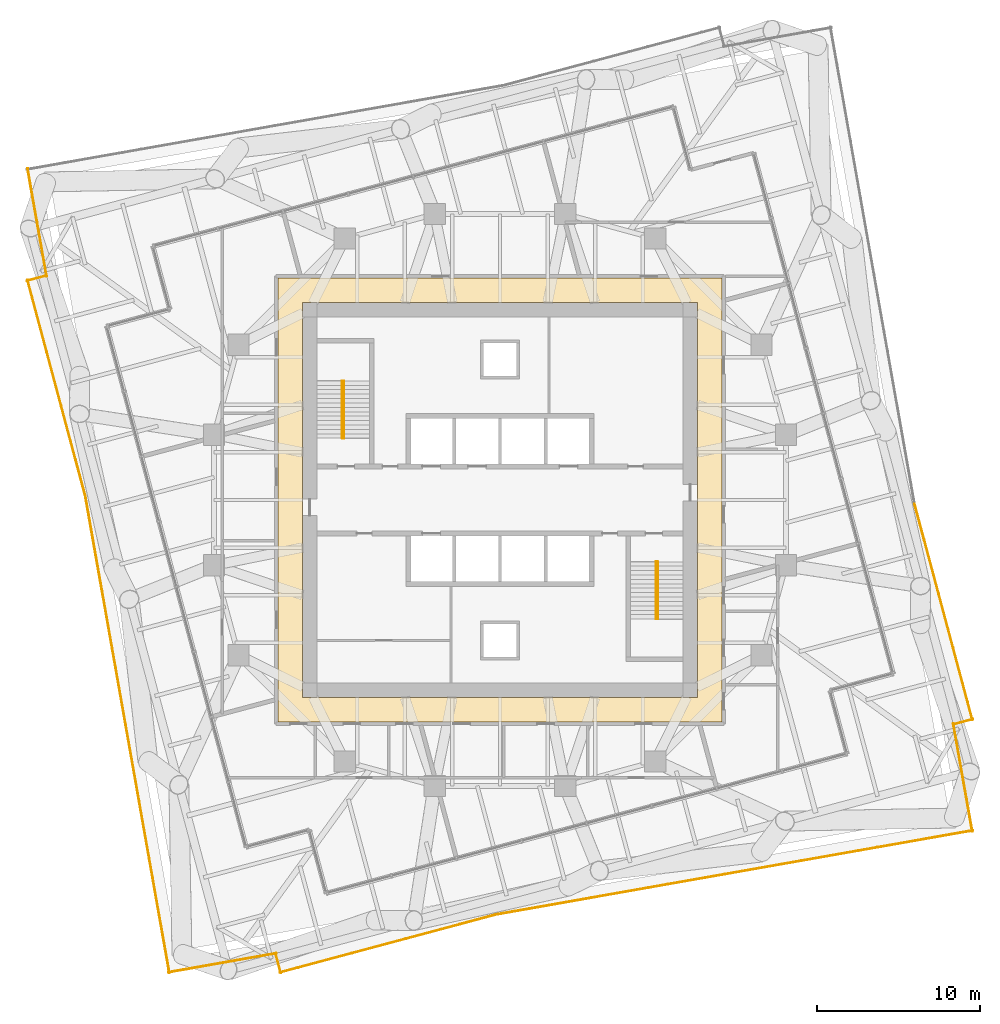
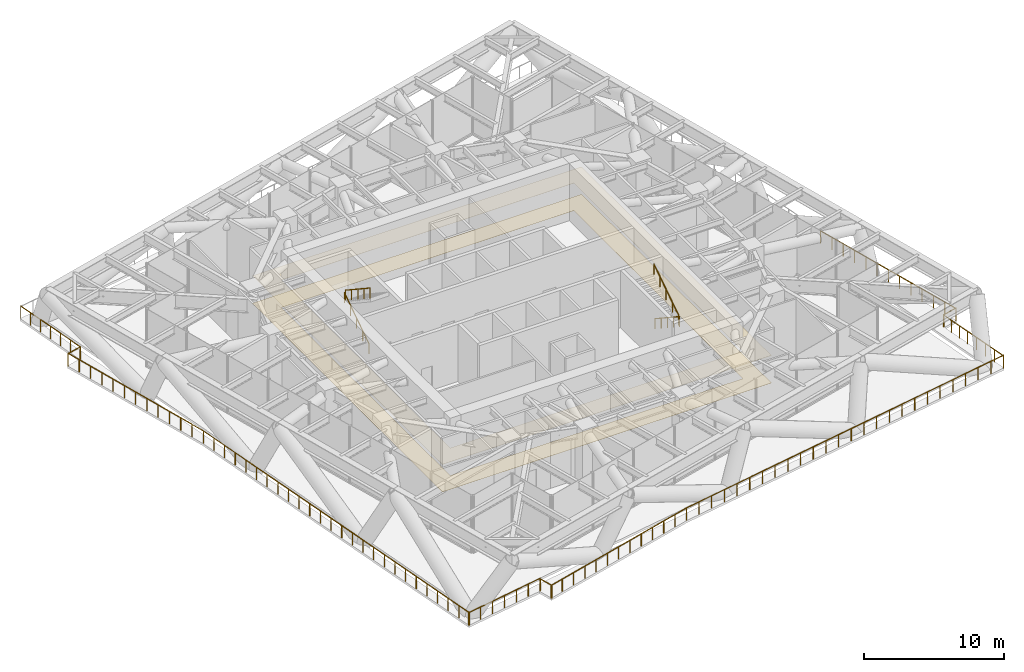
# One storey, part 13 of 14: 16 railings, 2 coverings, 2 elements without a shape of their own.
"""IFC4 building model written with IfcOpenShell, lengths in metres."""

from ifc_helpers import new_model, si_unit, direction, frame, origin, origin_2d, place, context, subcontext, project, spatial, polyline, circle, outline, extrude, material, layer, layer_set, type_object, element, aggregate, save


model = new_model("IFC4")

# Units and contexts
model_context = context("Model", 3, precision=1e-05, world=origin(), true_north=direction((0.0, 1.0)))
body_context = subcontext(model_context, "Body", "Model", "MODEL_VIEW")
ifc_project = project(units=[si_unit("LENGTHUNIT", "METRE"), si_unit("AREAUNIT", "SQUARE_METRE"), si_unit("VOLUMEUNIT", "CUBIC_METRE"), si_unit("PLANEANGLEUNIT", "RADIAN"), si_unit("MASSUNIT", "GRAM", prefix="KILO")], contexts=[model_context])

# Site, building, storey
site_placement = place(None, origin())
site = spatial("IfcSite", under=ifc_project, at=site_placement, CompositionType="ELEMENT")
building_placement = place(site_placement, origin())
building = spatial("IfcBuilding", under=site, at=building_placement, Name="Torsade Residences", CompositionType="ELEMENT")
storey_placement = place(building_placement, frame((0.0, 0.0, 106.60009765625)))
storey = spatial("IfcBuildingStorey", under=building, at=storey_placement, Name="L29", CompositionType="ELEMENT", Elevation=106.60009765625)

# Coverings
ifc_material_1 = material(Name="Nylon carpet tile on underlay", Category="textile")
ifc_layer_1 = layer(ifc_material_1, 0.010009765625)
ifc_layer_set_1 = layer_set([ifc_layer_1], Name="Nylon carpet tile on underlay")
covering_type_1 = type_object("IfcCoveringType", Name="CORRIDOR CARPET TILE 10", PredefinedType="FLOORING", material=ifc_layer_set_1)
covering_1_placement = place(storey_placement, origin())
element("IfcCovering", 1, at=covering_1_placement, inside=storey, type_object=covering_type_1, Name="Corridor carpet L29", PredefinedType="FLOORING", context=body_context, shape_type="SweptSolid", body=[
    extrude(outline(polyline([(26.39990234375, 16.39990234375), (53.60009765625, 16.39990234375), (53.60009765625, 43.60009765625), (26.39990234375, 43.60009765625), (26.39990234375, 16.39990234375)]), holes=[polyline([(27.89990234375, 42.10009765625), (27.89990234375, 17.89990234375), (52.10009765625, 17.89990234375), (52.10009765625, 42.10009765625), (27.89990234375, 42.10009765625)])]), origin(), (0.0, 0.0, 1.0), 0.010009765625),
])
ifc_material_2 = material(Name="Plasterboard on suspended steel grid", Category="steel")
ifc_layer_2 = layer(ifc_material_2, 0.012939453125)
ifc_layer_set_2 = layer_set([ifc_layer_2], Name="Plasterboard on suspended steel grid")
covering_type_2 = type_object("IfcCoveringType", Name="CORRIDOR SUSPENDED CEILING 13", PredefinedType="CEILING", material=ifc_layer_set_2)
covering_2_placement = place(storey_placement, frame((0.0, 0.0, 2.39990234375)))
element("IfcCovering", 2, at=covering_2_placement, inside=storey, type_object=covering_type_2, Name="Corridor ceiling L29", PredefinedType="CEILING", context=body_context, shape_type="SweptSolid", body=[
    extrude(outline(polyline([(26.39990234375, 16.39990234375), (53.60009765625, 16.39990234375), (53.60009765625, 43.60009765625), (26.39990234375, 43.60009765625), (26.39990234375, 16.39990234375)]), holes=[polyline([(27.89990234375, 42.10009765625), (27.89990234375, 17.89990234375), (52.10009765625, 17.89990234375), (52.10009765625, 42.10009765625), (27.89990234375, 42.10009765625)])]), origin(), (0.0, 0.0, 1.0), 0.012939453125),
])

# Railings
ifc_material_3 = material(Name="Galvanised steel guard rail", Category="steel")
railing_type_1 = type_object("IfcRailingType", Name="ROOF EDGE GUARD 1100", PredefinedType="GUARDRAIL", material=ifc_material_3)
railing_1_placement = place(storey_placement, frame((26.27783203125, 2.19921875, 0.0)))
element("IfcRailing", 3, at=railing_1_placement, inside=storey, type_object=railing_type_1, Name="Roof edge guard L29 1", PredefinedType="GUARDRAIL", context=body_context, shape_type="SweptSolid", body=[
    extrude(circle(Radius=0.02392578125, at=origin_2d()), frame((0.0, 0.0, 1.076171875), z_axis=(0.258803991931, -0.965929859648, 0.0), x_axis=(0.965929859648, 0.258803991931, 0.0)), (0.0, 0.0, 1.0), 1.197998046875),
    extrude(circle(Radius=0.02099609375, at=origin_2d()), origin(), (0.0, 0.0, 1.0), 1.052001953125),
    extrude(circle(Radius=0.02099609375, at=origin_2d()), frame((0.31005859375, -1.1572265625, 0.0)), (0.0, 0.0, 1.0), 1.052001953125),
])
railing_2_placement = place(storey_placement, frame((26.526611328125, 1.077392578125, 0.0)))
element("IfcRailing", 4, at=railing_2_placement, inside=storey, type_object=railing_type_1, Name="Roof edge guard L29 2", PredefinedType="GUARDRAIL", context=body_context, shape_type="SweptSolid", body=[
    extrude(circle(Radius=0.02392578125, at=origin_2d()), frame((0.0, 0.0, 1.076171875), z_axis=(0.965928083042, 0.258810622638, 0.0), x_axis=(-0.258810622638, 0.965928083042, 0.0)), (0.0, 0.0, 1.0), 13.697998046875),
    extrude(circle(Radius=0.02099609375, at=origin_2d()), origin(), (0.0, 0.0, 1.0), 1.052001953125),
    extrude(circle(Radius=0.02099609375, at=origin_2d()), frame((1.1025390625, 0.29541015625, 0.0)), (0.0, 0.0, 1.0), 1.052001953125),
    extrude(circle(Radius=0.02099609375, at=origin_2d()), frame((2.205078125, 0.5908203125, 0.0)), (0.0, 0.0, 1.0), 1.052001953125),
    extrude(circle(Radius=0.02099609375, at=origin_2d()), frame((3.307861328125, 0.88623046875, 0.0)), (0.0, 0.0, 1.0), 1.052001953125),
    extrude(circle(Radius=0.02099609375, at=origin_2d()), frame((4.410400390625, 1.181640625, 0.0)), (0.0, 0.0, 1.0), 1.052001953125),
    extrude(circle(Radius=0.02099609375, at=origin_2d()), frame((5.512939453125, 1.47705078125, 0.0)), (0.0, 0.0, 1.0), 1.052001953125),
    extrude(circle(Radius=0.02099609375, at=origin_2d()), frame((6.61572265625, 1.7724609375, 0.0)), (0.0, 0.0, 1.0), 1.052001953125),
    extrude(circle(Radius=0.02099609375, at=origin_2d()), frame((7.71826171875, 2.068115234375, 0.0)), (0.0, 0.0, 1.0), 1.052001953125),
    extrude(circle(Radius=0.02099609375, at=origin_2d()), frame((8.82080078125, 2.363525390625, 0.0)), (0.0, 0.0, 1.0), 1.052001953125),
    extrude(circle(Radius=0.02099609375, at=origin_2d()), frame((9.92333984375, 2.658935546875, 0.0)), (0.0, 0.0, 1.0), 1.052001953125),
    extrude(circle(Radius=0.02099609375, at=origin_2d()), frame((11.02587890625, 2.954345703125, 0.0)), (0.0, 0.0, 1.0), 1.052001953125),
    extrude(circle(Radius=0.02099609375, at=origin_2d()), frame((12.128662109375, 3.249755859375, 0.0)), (0.0, 0.0, 1.0), 1.052001953125),
    extrude(circle(Radius=0.02099609375, at=origin_2d()), frame((13.231201171875, 3.545166015625, 0.0)), (0.0, 0.0, 1.0), 1.052001953125),
])
railing_3_placement = place(storey_placement, frame((39.7578125, 4.622314453125, 0.0)))
element("IfcRailing", 5, at=railing_3_placement, inside=storey, type_object=railing_type_1, Name="Roof edge guard L29 3", PredefinedType="GUARDRAIL", context=body_context, shape_type="SweptSolid", body=[
    extrude(circle(Radius=0.02392578125, at=origin_2d()), frame((0.0, 0.0, 1.076171875), z_axis=(0.984807095321, 0.173651907578, 0.0), x_axis=(-0.173651907578, 0.984807095321, 0.0)), (0.0, 0.0, 1.0), 29.645263671875),
    extrude(circle(Radius=0.02099609375, at=origin_2d()), origin(), (0.0, 0.0, 1.0), 1.052001953125),
    extrude(circle(Radius=0.02099609375, at=origin_2d()), frame((1.167724609375, 0.205810546875, 0.0)), (0.0, 0.0, 1.0), 1.052001953125),
    extrude(circle(Radius=0.02099609375, at=origin_2d()), frame((2.335693359375, 0.411865234375, 0.0)), (0.0, 0.0, 1.0), 1.052001953125),
    extrude(circle(Radius=0.02099609375, at=origin_2d()), frame((3.50341796875, 0.61767578125, 0.0)), (0.0, 0.0, 1.0), 1.052001953125),
    extrude(circle(Radius=0.02099609375, at=origin_2d()), frame((4.671142578125, 0.82373046875, 0.0)), (0.0, 0.0, 1.0), 1.052001953125),
    extrude(circle(Radius=0.02099609375, at=origin_2d()), frame((5.8388671875, 1.029541015625, 0.0)), (0.0, 0.0, 1.0), 1.052001953125),
    extrude(circle(Radius=0.02099609375, at=origin_2d()), frame((7.0068359375, 1.235595703125, 0.0)), (0.0, 0.0, 1.0), 1.052001953125),
    extrude(circle(Radius=0.02099609375, at=origin_2d()), frame((8.174560546875, 1.44140625, 0.0)), (0.0, 0.0, 1.0), 1.052001953125),
    extrude(circle(Radius=0.02099609375, at=origin_2d()), frame((9.34228515625, 1.6474609375, 0.0)), (0.0, 0.0, 1.0), 1.052001953125),
    extrude(circle(Radius=0.02099609375, at=origin_2d()), frame((10.51025390625, 1.853271484375, 0.0)), (0.0, 0.0, 1.0), 1.052001953125),
    extrude(circle(Radius=0.02099609375, at=origin_2d()), frame((11.677978515625, 2.05908203125, 0.0)), (0.0, 0.0, 1.0), 1.052001953125),
    extrude(circle(Radius=0.02099609375, at=origin_2d()), frame((12.845703125, 2.26513671875, 0.0)), (0.0, 0.0, 1.0), 1.052001953125),
    extrude(circle(Radius=0.02099609375, at=origin_2d()), frame((14.013427734375, 2.470947265625, 0.0)), (0.0, 0.0, 1.0), 1.052001953125),
    extrude(circle(Radius=0.02099609375, at=origin_2d()), frame((15.181396484375, 2.677001953125, 0.0)), (0.0, 0.0, 1.0), 1.052001953125),
    extrude(circle(Radius=0.02099609375, at=origin_2d()), frame((16.34912109375, 2.8828125, 0.0)), (0.0, 0.0, 1.0), 1.052001953125),
    extrude(circle(Radius=0.02099609375, at=origin_2d()), frame((17.516845703125, 3.0888671875, 0.0)), (0.0, 0.0, 1.0), 1.052001953125),
    extrude(circle(Radius=0.02099609375, at=origin_2d()), frame((18.6845703125, 3.294677734375, 0.0)), (0.0, 0.0, 1.0), 1.052001953125),
    extrude(circle(Radius=0.02099609375, at=origin_2d()), frame((19.8525390625, 3.50048828125, 0.0)), (0.0, 0.0, 1.0), 1.052001953125),
    extrude(circle(Radius=0.02099609375, at=origin_2d()), frame((21.020263671875, 3.70654296875, 0.0)), (0.0, 0.0, 1.0), 1.052001953125),
    extrude(circle(Radius=0.02099609375, at=origin_2d()), frame((22.18798828125, 3.912353515625, 0.0)), (0.0, 0.0, 1.0), 1.052001953125),
    extrude(circle(Radius=0.02099609375, at=origin_2d()), frame((23.35595703125, 4.118408203125, 0.0)), (0.0, 0.0, 1.0), 1.052001953125),
    extrude(circle(Radius=0.02099609375, at=origin_2d()), frame((24.523681640625, 4.32421875, 0.0)), (0.0, 0.0, 1.0), 1.052001953125),
    extrude(circle(Radius=0.02099609375, at=origin_2d()), frame((25.69140625, 4.5302734375, 0.0)), (0.0, 0.0, 1.0), 1.052001953125),
    extrude(circle(Radius=0.02099609375, at=origin_2d()), frame((26.859130859375, 4.736083984375, 0.0)), (0.0, 0.0, 1.0), 1.052001953125),
    extrude(circle(Radius=0.02099609375, at=origin_2d()), frame((28.027099609375, 4.942138671875, 0.0)), (0.0, 0.0, 1.0), 1.052001953125),
    extrude(circle(Radius=0.02099609375, at=origin_2d()), frame((29.19482421875, 5.14794921875, 0.0)), (0.0, 0.0, 1.0), 1.052001953125),
])
railing_4_placement = place(storey_placement, frame((68.912109375, 9.71240234375, 0.0)))
element("IfcRailing", 6, at=railing_4_placement, inside=storey, type_object=railing_type_1, Name="Roof edge guard L29 4", PredefinedType="GUARDRAIL", context=body_context, shape_type="SweptSolid", body=[
    extrude(circle(Radius=0.02392578125, at=origin_2d()), frame((0.0, 0.0, 1.076171875), z_axis=(-0.173646056486, 0.984808127031, 0.0), x_axis=(-0.984808127031, -0.173646056486, 0.0)), (0.0, 0.0, 1.0), 4.0),
    extrude(circle(Radius=0.02099609375, at=origin_2d()), origin(), (0.0, 0.0, 1.0), 1.052001953125),
    extrude(circle(Radius=0.02099609375, at=origin_2d()), frame((-0.173583984375, 0.98486328125, 0.0)), (0.0, 0.0, 1.0), 1.052001953125),
    extrude(circle(Radius=0.02099609375, at=origin_2d()), frame((-0.34716796875, 1.9697265625, 0.0)), (0.0, 0.0, 1.0), 1.052001953125),
    extrude(circle(Radius=0.02099609375, at=origin_2d()), frame((-0.52099609375, 2.954345703125, 0.0)), (0.0, 0.0, 1.0), 1.052001953125),
    extrude(circle(Radius=0.02099609375, at=origin_2d()), frame((-0.694580078125, 3.939208984375, 0.0)), (0.0, 0.0, 1.0), 1.052001953125),
])
railing_5_placement = place(storey_placement, frame((68.217529296875, 13.651611328125, 0.0)))
element("IfcRailing", 7, at=railing_5_placement, inside=storey, type_object=railing_type_1, Name="Roof edge guard L29 5", PredefinedType="GUARDRAIL", context=body_context, shape_type="SweptSolid", body=[
    extrude(circle(Radius=0.02392578125, at=origin_2d()), frame((0.0, 0.0, 1.076171875), z_axis=(-0.173671868922, 0.984803575311, 0.0), x_axis=(-0.984803575311, -0.173671868922, 0.0)), (0.0, 0.0, 1.0), 2.700439453125),
    extrude(circle(Radius=0.02099609375, at=origin_2d()), origin(), (0.0, 0.0, 1.0), 1.052001953125),
    extrude(circle(Radius=0.02099609375, at=origin_2d()), frame((-0.15625, 0.886474609375, 0.0)), (0.0, 0.0, 1.0), 1.052001953125),
    extrude(circle(Radius=0.02099609375, at=origin_2d()), frame((-0.312744140625, 1.77294921875, 0.0)), (0.0, 0.0, 1.0), 1.052001953125),
    extrude(circle(Radius=0.02099609375, at=origin_2d()), frame((-0.468994140625, 2.659423828125, 0.0)), (0.0, 0.0, 1.0), 1.052001953125),
])
railing_6_placement = place(storey_placement, frame((67.80078125, 16.27783203125, 0.0)))
element("IfcRailing", 8, at=railing_6_placement, inside=storey, type_object=railing_type_1, Name="Roof edge guard L29 6", PredefinedType="GUARDRAIL", context=body_context, shape_type="SweptSolid", body=[
    extrude(circle(Radius=0.02392578125, at=origin_2d()), frame((0.0, 0.0, 1.076171875), z_axis=(0.965929859648, 0.258803991931, 0.0), x_axis=(-0.258803991931, 0.965929859648, 0.0)), (0.0, 0.0, 1.0), 1.197998046875),
    extrude(circle(Radius=0.02099609375, at=origin_2d()), origin(), (0.0, 0.0, 1.0), 1.052001953125),
    extrude(circle(Radius=0.02099609375, at=origin_2d()), frame((1.1572265625, 0.31005859375, 0.0)), (0.0, 0.0, 1.0), 1.052001953125),
])
railing_7_placement = place(storey_placement, frame((68.922607421875, 16.526611328125, 0.0)))
element("IfcRailing", 9, at=railing_7_placement, inside=storey, type_object=railing_type_1, Name="Roof edge guard L29 7", PredefinedType="GUARDRAIL", context=body_context, shape_type="SweptSolid", body=[
    extrude(circle(Radius=0.02392578125, at=origin_2d()), frame((0.0, 0.0, 1.076171875), z_axis=(-0.258810622638, 0.965928083042, 0.0), x_axis=(-0.965928083042, -0.258810622638, 0.0)), (0.0, 0.0, 1.0), 13.697998046875),
    extrude(circle(Radius=0.02099609375, at=origin_2d()), origin(), (0.0, 0.0, 1.0), 1.052001953125),
    extrude(circle(Radius=0.02099609375, at=origin_2d()), frame((-0.29541015625, 1.1025390625, 0.0)), (0.0, 0.0, 1.0), 1.052001953125),
    extrude(circle(Radius=0.02099609375, at=origin_2d()), frame((-0.5908203125, 2.205078125, 0.0)), (0.0, 0.0, 1.0), 1.052001953125),
    extrude(circle(Radius=0.02099609375, at=origin_2d()), frame((-0.88623046875, 3.307861328125, 0.0)), (0.0, 0.0, 1.0), 1.052001953125),
    extrude(circle(Radius=0.02099609375, at=origin_2d()), frame((-1.181640625, 4.410400390625, 0.0)), (0.0, 0.0, 1.0), 1.052001953125),
    extrude(circle(Radius=0.02099609375, at=origin_2d()), frame((-1.47705078125, 5.512939453125, 0.0)), (0.0, 0.0, 1.0), 1.052001953125),
    extrude(circle(Radius=0.02099609375, at=origin_2d()), frame((-1.7724609375, 6.61572265625, 0.0)), (0.0, 0.0, 1.0), 1.052001953125),
    extrude(circle(Radius=0.02099609375, at=origin_2d()), frame((-2.068115234375, 7.71826171875, 0.0)), (0.0, 0.0, 1.0), 1.052001953125),
    extrude(circle(Radius=0.02099609375, at=origin_2d()), frame((-2.363525390625, 8.82080078125, 0.0)), (0.0, 0.0, 1.0), 1.052001953125),
    extrude(circle(Radius=0.02099609375, at=origin_2d()), frame((-2.658935546875, 9.92333984375, 0.0)), (0.0, 0.0, 1.0), 1.052001953125),
    extrude(circle(Radius=0.02099609375, at=origin_2d()), frame((-2.954345703125, 11.02587890625, 0.0)), (0.0, 0.0, 1.0), 1.052001953125),
    extrude(circle(Radius=0.02099609375, at=origin_2d()), frame((-3.249755859375, 12.128662109375, 0.0)), (0.0, 0.0, 1.0), 1.052001953125),
    extrude(circle(Radius=0.02099609375, at=origin_2d()), frame((-3.545166015625, 13.231201171875, 0.0)), (0.0, 0.0, 1.0), 1.052001953125),
])
railing_8_placement = place(storey_placement, frame((11.087890625, 50.28759765625, 0.0)))
element("IfcRailing", 10, at=railing_8_placement, inside=storey, type_object=railing_type_1, Name="Roof edge guard L29 13", PredefinedType="GUARDRAIL", context=body_context, shape_type="SweptSolid", body=[
    extrude(circle(Radius=0.02392578125, at=origin_2d()), frame((0.0, 0.0, 1.076171875), z_axis=(0.173656459625, -0.984806292644, 0.0), x_axis=(0.984806292644, 0.173656459625, 0.0)), (0.0, 0.0, 1.0), 6.700439453125),
    extrude(circle(Radius=0.02099609375, at=origin_2d()), origin(), (0.0, 0.0, 1.0), 1.052001953125),
    extrude(circle(Radius=0.02099609375, at=origin_2d()), frame((0.19384765625, -1.099853515625, 0.0)), (0.0, 0.0, 1.0), 1.052001953125),
    extrude(circle(Radius=0.02099609375, at=origin_2d()), frame((0.387939453125, -2.199462890625, 0.0)), (0.0, 0.0, 1.0), 1.052001953125),
    extrude(circle(Radius=0.02099609375, at=origin_2d()), frame((0.581787109375, -3.29931640625, 0.0)), (0.0, 0.0, 1.0), 1.052001953125),
    extrude(circle(Radius=0.02099609375, at=origin_2d()), frame((0.775634765625, -4.399169921875, 0.0)), (0.0, 0.0, 1.0), 1.052001953125),
    extrude(circle(Radius=0.02099609375, at=origin_2d()), frame((0.9697265625, -5.498779296875, 0.0)), (0.0, 0.0, 1.0), 1.052001953125),
    extrude(circle(Radius=0.02099609375, at=origin_2d()), frame((1.16357421875, -6.5986328125, 0.0)), (0.0, 0.0, 1.0), 1.052001953125),
])
railing_9_placement = place(storey_placement, frame((12.19921875, 43.72216796875, 0.0)))
element("IfcRailing", 11, at=railing_9_placement, inside=storey, type_object=railing_type_1, Name="Roof edge guard L29 14", PredefinedType="GUARDRAIL", context=body_context, shape_type="SweptSolid", body=[
    extrude(circle(Radius=0.02392578125, at=origin_2d()), frame((0.0, 0.0, 1.076171875), z_axis=(-0.965929859648, -0.258803991931, 0.0), x_axis=(0.258803991931, -0.965929859648, 0.0)), (0.0, 0.0, 1.0), 1.197998046875),
    extrude(circle(Radius=0.02099609375, at=origin_2d()), origin(), (0.0, 0.0, 1.0), 1.052001953125),
    extrude(circle(Radius=0.02099609375, at=origin_2d()), frame((-1.1572265625, -0.31005859375, 0.0)), (0.0, 0.0, 1.0), 1.052001953125),
])
railing_10_placement = place(storey_placement, frame((11.077392578125, 43.473388671875, 0.0)))
element("IfcRailing", 12, at=railing_10_placement, inside=storey, type_object=railing_type_1, Name="Roof edge guard L29 15", PredefinedType="GUARDRAIL", context=body_context, shape_type="SweptSolid", body=[
    extrude(circle(Radius=0.02392578125, at=origin_2d()), frame((0.0, 0.0, 1.076171875), z_axis=(0.258810622638, -0.965928083042, 0.0), x_axis=(0.965928083042, 0.258810622638, 0.0)), (0.0, 0.0, 1.0), 13.697998046875),
    extrude(circle(Radius=0.02099609375, at=origin_2d()), origin(), (0.0, 0.0, 1.0), 1.052001953125),
    extrude(circle(Radius=0.02099609375, at=origin_2d()), frame((0.29541015625, -1.1025390625, 0.0)), (0.0, 0.0, 1.0), 1.052001953125),
    extrude(circle(Radius=0.02099609375, at=origin_2d()), frame((0.5908203125, -2.205078125, 0.0)), (0.0, 0.0, 1.0), 1.052001953125),
    extrude(circle(Radius=0.02099609375, at=origin_2d()), frame((0.88623046875, -3.307861328125, 0.0)), (0.0, 0.0, 1.0), 1.052001953125),
    extrude(circle(Radius=0.02099609375, at=origin_2d()), frame((1.181640625, -4.410400390625, 0.0)), (0.0, 0.0, 1.0), 1.052001953125),
    extrude(circle(Radius=0.02099609375, at=origin_2d()), frame((1.47705078125, -5.512939453125, 0.0)), (0.0, 0.0, 1.0), 1.052001953125),
    extrude(circle(Radius=0.02099609375, at=origin_2d()), frame((1.7724609375, -6.61572265625, 0.0)), (0.0, 0.0, 1.0), 1.052001953125),
    extrude(circle(Radius=0.02099609375, at=origin_2d()), frame((2.068115234375, -7.71826171875, 0.0)), (0.0, 0.0, 1.0), 1.052001953125),
    extrude(circle(Radius=0.02099609375, at=origin_2d()), frame((2.363525390625, -8.82080078125, 0.0)), (0.0, 0.0, 1.0), 1.052001953125),
    extrude(circle(Radius=0.02099609375, at=origin_2d()), frame((2.658935546875, -9.92333984375, 0.0)), (0.0, 0.0, 1.0), 1.052001953125),
    extrude(circle(Radius=0.02099609375, at=origin_2d()), frame((2.954345703125, -11.02587890625, 0.0)), (0.0, 0.0, 1.0), 1.052001953125),
    extrude(circle(Radius=0.02099609375, at=origin_2d()), frame((3.249755859375, -12.128662109375, 0.0)), (0.0, 0.0, 1.0), 1.052001953125),
    extrude(circle(Radius=0.02099609375, at=origin_2d()), frame((3.545166015625, -13.231201171875, 0.0)), (0.0, 0.0, 1.0), 1.052001953125),
])
railing_11_placement = place(storey_placement, frame((14.622314453125, 30.2421875, 0.0)))
element("IfcRailing", 13, at=railing_11_placement, inside=storey, type_object=railing_type_1, Name="Roof edge guard L29 16", PredefinedType="GUARDRAIL", context=body_context, shape_type="SweptSolid", body=[
    extrude(circle(Radius=0.02392578125, at=origin_2d()), frame((0.0, 0.0, 1.076171875), z_axis=(0.173651907578, -0.984807095321, 0.0), x_axis=(0.984807095321, 0.173651907578, 0.0)), (0.0, 0.0, 1.0), 29.645263671875),
    extrude(circle(Radius=0.02099609375, at=origin_2d()), origin(), (0.0, 0.0, 1.0), 1.052001953125),
    extrude(circle(Radius=0.02099609375, at=origin_2d()), frame((0.205810546875, -1.167724609375, 0.0)), (0.0, 0.0, 1.0), 1.052001953125),
    extrude(circle(Radius=0.02099609375, at=origin_2d()), frame((0.411865234375, -2.335693359375, 0.0)), (0.0, 0.0, 1.0), 1.052001953125),
    extrude(circle(Radius=0.02099609375, at=origin_2d()), frame((0.61767578125, -3.50341796875, 0.0)), (0.0, 0.0, 1.0), 1.052001953125),
    extrude(circle(Radius=0.02099609375, at=origin_2d()), frame((0.82373046875, -4.671142578125, 0.0)), (0.0, 0.0, 1.0), 1.052001953125),
    extrude(circle(Radius=0.02099609375, at=origin_2d()), frame((1.029541015625, -5.8388671875, 0.0)), (0.0, 0.0, 1.0), 1.052001953125),
    extrude(circle(Radius=0.02099609375, at=origin_2d()), frame((1.235595703125, -7.0068359375, 0.0)), (0.0, 0.0, 1.0), 1.052001953125),
    extrude(circle(Radius=0.02099609375, at=origin_2d()), frame((1.44140625, -8.174560546875, 0.0)), (0.0, 0.0, 1.0), 1.052001953125),
    extrude(circle(Radius=0.02099609375, at=origin_2d()), frame((1.6474609375, -9.34228515625, 0.0)), (0.0, 0.0, 1.0), 1.052001953125),
    extrude(circle(Radius=0.02099609375, at=origin_2d()), frame((1.853271484375, -10.51025390625, 0.0)), (0.0, 0.0, 1.0), 1.052001953125),
    extrude(circle(Radius=0.02099609375, at=origin_2d()), frame((2.05908203125, -11.677978515625, 0.0)), (0.0, 0.0, 1.0), 1.052001953125),
    extrude(circle(Radius=0.02099609375, at=origin_2d()), frame((2.26513671875, -12.845703125, 0.0)), (0.0, 0.0, 1.0), 1.052001953125),
    extrude(circle(Radius=0.02099609375, at=origin_2d()), frame((2.470947265625, -14.013427734375, 0.0)), (0.0, 0.0, 1.0), 1.052001953125),
    extrude(circle(Radius=0.02099609375, at=origin_2d()), frame((2.677001953125, -15.181396484375, 0.0)), (0.0, 0.0, 1.0), 1.052001953125),
    extrude(circle(Radius=0.02099609375, at=origin_2d()), frame((2.8828125, -16.34912109375, 0.0)), (0.0, 0.0, 1.0), 1.052001953125),
    extrude(circle(Radius=0.02099609375, at=origin_2d()), frame((3.0888671875, -17.516845703125, 0.0)), (0.0, 0.0, 1.0), 1.052001953125),
    extrude(circle(Radius=0.02099609375, at=origin_2d()), frame((3.294677734375, -18.6845703125, 0.0)), (0.0, 0.0, 1.0), 1.052001953125),
    extrude(circle(Radius=0.02099609375, at=origin_2d()), frame((3.50048828125, -19.8525390625, 0.0)), (0.0, 0.0, 1.0), 1.052001953125),
    extrude(circle(Radius=0.02099609375, at=origin_2d()), frame((3.70654296875, -21.020263671875, 0.0)), (0.0, 0.0, 1.0), 1.052001953125),
    extrude(circle(Radius=0.02099609375, at=origin_2d()), frame((3.912353515625, -22.18798828125, 0.0)), (0.0, 0.0, 1.0), 1.052001953125),
    extrude(circle(Radius=0.02099609375, at=origin_2d()), frame((4.118408203125, -23.35595703125, 0.0)), (0.0, 0.0, 1.0), 1.052001953125),
    extrude(circle(Radius=0.02099609375, at=origin_2d()), frame((4.32421875, -24.523681640625, 0.0)), (0.0, 0.0, 1.0), 1.052001953125),
    extrude(circle(Radius=0.02099609375, at=origin_2d()), frame((4.5302734375, -25.69140625, 0.0)), (0.0, 0.0, 1.0), 1.052001953125),
    extrude(circle(Radius=0.02099609375, at=origin_2d()), frame((4.736083984375, -26.859130859375, 0.0)), (0.0, 0.0, 1.0), 1.052001953125),
    extrude(circle(Radius=0.02099609375, at=origin_2d()), frame((4.942138671875, -28.027099609375, 0.0)), (0.0, 0.0, 1.0), 1.052001953125),
    extrude(circle(Radius=0.02099609375, at=origin_2d()), frame((5.14794921875, -29.19482421875, 0.0)), (0.0, 0.0, 1.0), 1.052001953125),
])
railing_12_placement = place(storey_placement, frame((19.71240234375, 1.087890625, 0.0)))
element("IfcRailing", 14, at=railing_12_placement, inside=storey, type_object=railing_type_1, Name="Roof edge guard L29 17", PredefinedType="GUARDRAIL", context=body_context, shape_type="SweptSolid", body=[
    extrude(circle(Radius=0.02392578125, at=origin_2d()), frame((0.0, 0.0, 1.076171875), z_axis=(0.984806292644, 0.173656459625, 0.0), x_axis=(-0.173656459625, 0.984806292644, 0.0)), (0.0, 0.0, 1.0), 6.700439453125),
    extrude(circle(Radius=0.02099609375, at=origin_2d()), origin(), (0.0, 0.0, 1.0), 1.052001953125),
    extrude(circle(Radius=0.02099609375, at=origin_2d()), frame((1.099853515625, 0.19384765625, 0.0)), (0.0, 0.0, 1.0), 1.052001953125),
    extrude(circle(Radius=0.02099609375, at=origin_2d()), frame((2.199462890625, 0.387939453125, 0.0)), (0.0, 0.0, 1.0), 1.052001953125),
    extrude(circle(Radius=0.02099609375, at=origin_2d()), frame((3.29931640625, 0.581787109375, 0.0)), (0.0, 0.0, 1.0), 1.052001953125),
    extrude(circle(Radius=0.02099609375, at=origin_2d()), frame((4.399169921875, 0.775634765625, 0.0)), (0.0, 0.0, 1.0), 1.052001953125),
    extrude(circle(Radius=0.02099609375, at=origin_2d()), frame((5.498779296875, 0.9697265625, 0.0)), (0.0, 0.0, 1.0), 1.052001953125),
    extrude(circle(Radius=0.02099609375, at=origin_2d()), frame((6.5986328125, 1.16357421875, 0.0)), (0.0, 0.0, 1.0), 1.052001953125),
])

# Stair, railings
ifc_material_4 = material(Name="Precast concrete 40 MPa", Category="concrete")
stair_type = type_object("IfcStairType", Name="HALF-TURN FIRE STAIR 1500x5000", PredefinedType="HALF_TURN_STAIR", material=ifc_material_4)
stair_1_placement = place(storey_placement, origin())
stair_1 = element("IfcStair", 15, at=stair_1_placement, inside=storey, type_object=stair_type, Name="Stair ST1 L29", PredefinedType="HALF_TURN_STAIR")
ifc_material_5 = material(Name="Steel handrail", Category="steel")
railing_type_2 = type_object("IfcRailingType", Name="STAIR HANDRAIL 900", PredefinedType="HANDRAIL", material=ifc_material_5)
railing_13_placement = place(storey_placement, frame((30.35009765625, 33.780029296875, 0.178466796875)))
railing_13 = element("IfcRailing", 16, at=railing_13_placement, type_object=railing_type_2, Name="Handrail ST1 flight 1 L29", PredefinedType="HANDRAIL", context=body_context, shape_type="SweptSolid", body=[
    extrude(circle(Radius=0.02392578125, at=origin_2d()), frame((0.0, 0.0, 0.8759765625), z_axis=(0.0, 0.834070780157, 0.551657442339), x_axis=(-1.0, 0.0, 0.0)), (0.0, 0.0, 1.0), 4.208251953125),
    extrude(circle(Radius=0.02099609375, at=origin_2d()), origin(), (0.0, 0.0, 1.0), 0.851806640625),
    extrude(circle(Radius=0.02099609375, at=origin_2d()), frame((0.0, 0.87744140625, 0.580322265625)), (0.0, 0.0, 1.0), 0.851806640625),
    extrude(circle(Radius=0.02099609375, at=origin_2d()), frame((0.0, 1.7548828125, 1.16064453125)), (0.0, 0.0, 1.0), 0.851806640625),
    extrude(circle(Radius=0.02099609375, at=origin_2d()), frame((0.0, 2.632568359375, 1.7412109375)), (0.0, 0.0, 1.0), 0.851806640625),
    extrude(circle(Radius=0.02099609375, at=origin_2d()), frame((0.0, 3.510009765625, 2.321533203125)), (0.0, 0.0, 1.0), 0.851806640625),
])
railing_14_placement = place(storey_placement, frame((30.449951171875, 37.2900390625, 2.678466796875)))
railing_14 = element("IfcRailing", 17, at=railing_14_placement, type_object=railing_type_2, Name="Handrail ST1 flight 2 L29", PredefinedType="HANDRAIL", context=body_context, shape_type="SweptSolid", body=[
    extrude(circle(Radius=0.02392578125, at=origin_2d()), frame((0.0, 0.0, 0.8759765625), z_axis=(0.0, -0.834070780157, 0.551657442339), x_axis=(1.0, 0.0, 0.0)), (0.0, 0.0, 1.0), 4.208251953125),
    extrude(circle(Radius=0.02099609375, at=origin_2d()), origin(), (0.0, 0.0, 1.0), 0.851806640625),
    extrude(circle(Radius=0.02099609375, at=origin_2d()), frame((0.0, -0.87744140625, 0.580322265625)), (0.0, 0.0, 1.0), 0.851806640625),
    extrude(circle(Radius=0.02099609375, at=origin_2d()), frame((0.0, -1.7548828125, 1.16064453125)), (0.0, 0.0, 1.0), 0.851806640625),
    extrude(circle(Radius=0.02099609375, at=origin_2d()), frame((0.0, -2.632568359375, 1.7412109375)), (0.0, 0.0, 1.0), 0.851806640625),
    extrude(circle(Radius=0.02099609375, at=origin_2d()), frame((0.0, -3.510009765625, 2.321533203125)), (0.0, 0.0, 1.0), 0.851806640625),
])
aggregate(stair_1, [railing_13, railing_14])

stair_2_placement = place(storey_placement, origin())
stair_2 = element("IfcStair", 18, at=stair_2_placement, inside=storey, type_object=stair_type, Name="Stair ST2 L29", PredefinedType="HALF_TURN_STAIR")
railing_15_placement = place(storey_placement, frame((49.64990234375, 26.219970703125, 0.178466796875)))
railing_15 = element("IfcRailing", 19, at=railing_15_placement, type_object=railing_type_2, Name="Handrail ST2 flight 1 L29", PredefinedType="HANDRAIL", context=body_context, shape_type="SweptSolid", body=[
    extrude(circle(Radius=0.02392578125, at=origin_2d()), frame((0.0, 0.0, 0.8759765625), z_axis=(0.0, -0.834070780157, 0.551657442339), x_axis=(1.0, 0.0, 0.0)), (0.0, 0.0, 1.0), 4.208251953125),
    extrude(circle(Radius=0.02099609375, at=origin_2d()), origin(), (0.0, 0.0, 1.0), 0.851806640625),
    extrude(circle(Radius=0.02099609375, at=origin_2d()), frame((0.0, -0.87744140625, 0.580322265625)), (0.0, 0.0, 1.0), 0.851806640625),
    extrude(circle(Radius=0.02099609375, at=origin_2d()), frame((0.0, -1.7548828125, 1.16064453125)), (0.0, 0.0, 1.0), 0.851806640625),
    extrude(circle(Radius=0.02099609375, at=origin_2d()), frame((0.0, -2.632568359375, 1.7412109375)), (0.0, 0.0, 1.0), 0.851806640625),
    extrude(circle(Radius=0.02099609375, at=origin_2d()), frame((0.0, -3.510009765625, 2.321533203125)), (0.0, 0.0, 1.0), 0.851806640625),
])
railing_16_placement = place(storey_placement, frame((49.550048828125, 22.7099609375, 2.678466796875)))
railing_16 = element("IfcRailing", 20, at=railing_16_placement, type_object=railing_type_2, Name="Handrail ST2 flight 2 L29", PredefinedType="HANDRAIL", context=body_context, shape_type="SweptSolid", body=[
    extrude(circle(Radius=0.02392578125, at=origin_2d()), frame((0.0, 0.0, 0.8759765625), z_axis=(0.0, 0.834070780157, 0.551657442339), x_axis=(-1.0, 0.0, 0.0)), (0.0, 0.0, 1.0), 4.208251953125),
    extrude(circle(Radius=0.02099609375, at=origin_2d()), origin(), (0.0, 0.0, 1.0), 0.851806640625),
    extrude(circle(Radius=0.02099609375, at=origin_2d()), frame((0.0, 0.87744140625, 0.580322265625)), (0.0, 0.0, 1.0), 0.851806640625),
    extrude(circle(Radius=0.02099609375, at=origin_2d()), frame((0.0, 1.7548828125, 1.16064453125)), (0.0, 0.0, 1.0), 0.851806640625),
    extrude(circle(Radius=0.02099609375, at=origin_2d()), frame((0.0, 2.632568359375, 1.7412109375)), (0.0, 0.0, 1.0), 0.851806640625),
    extrude(circle(Radius=0.02099609375, at=origin_2d()), frame((0.0, 3.510009765625, 2.321533203125)), (0.0, 0.0, 1.0), 0.851806640625),
])
aggregate(stair_2, [railing_15, railing_16])

save(model, "model.ifc")
